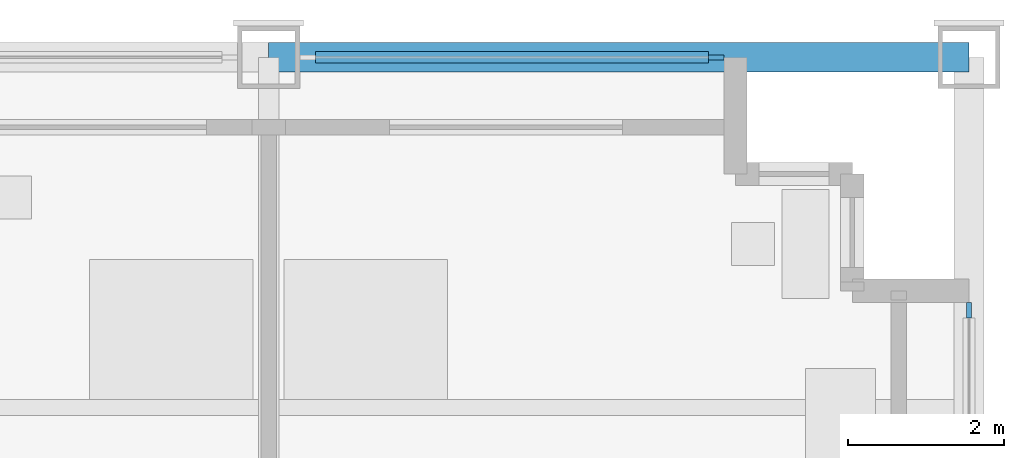
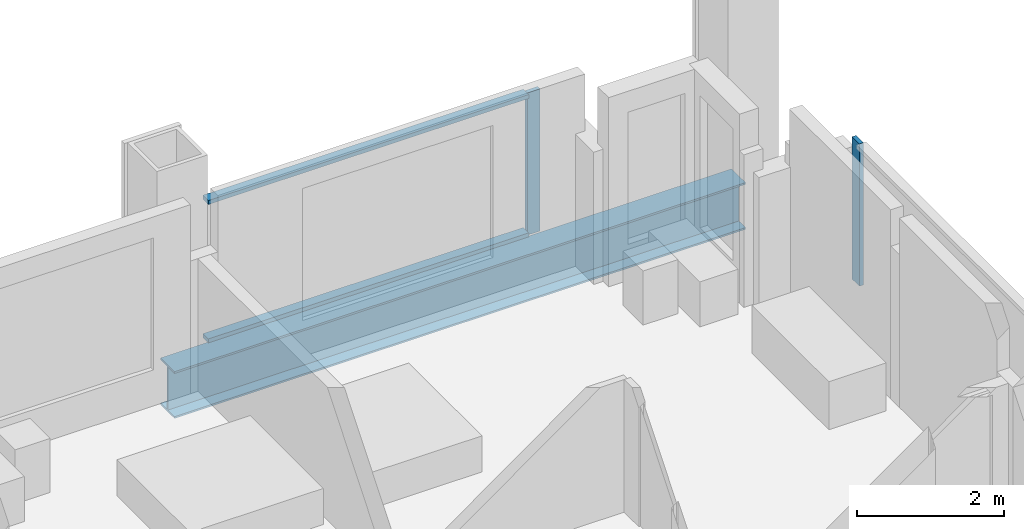
# One storey, part 7 of 17: 4 members, 1 beam, 2 elements without a shape of their own.
"""IFC4 building model written with IfcOpenShell, lengths in metres."""

from ifc_helpers import new_model, si_unit, direction, frame, origin, origin_2d, place, context, subcontext, project, spatial, rectangle, i_section, extrude, material, material_profile, profile_set, type_object, element, aggregate, save


model = new_model("IFC4")

# Units and contexts
model_context = context("Model", 3, precision=1e-05, world=origin(), true_north=direction((0.0, 1.0)))
body_context = subcontext(model_context, "Body", "Model", "MODEL_VIEW")
ifc_project = project(units=[si_unit("LENGTHUNIT", "METRE"), si_unit("AREAUNIT", "SQUARE_METRE"), si_unit("VOLUMEUNIT", "CUBIC_METRE"), si_unit("PLANEANGLEUNIT", "RADIAN"), si_unit("MASSUNIT", "GRAM", prefix="KILO")], contexts=[model_context])

# Site, building, storey
site_placement = place(None, origin())
site = spatial("IfcSite", under=ifc_project, at=site_placement, CompositionType="ELEMENT")
building_placement = place(site_placement, origin())
building = spatial("IfcBuilding", under=site, at=building_placement, Name="Loomwork Tower", CompositionType="ELEMENT")
storey_placement = place(building_placement, frame((0.0, 0.0, 152.0)))
storey = spatial("IfcBuildingStorey", under=building, at=storey_placement, Name="L41", CompositionType="ELEMENT", Elevation=152.0)

# Curtain wall, member
ifc_material_1 = material(Name="Aluminium curtain wall frame", Category="aluminium")
curtain_wall_type = type_object("IfcCurtainWallType", Name="Outer skin glazing hotel", PredefinedType="NOTDEFINED", material=ifc_material_1)
curtain_wall_1_placement = place(storey_placement, origin())
curtain_wall_1 = element("IfcCurtainWall", 1, at=curtain_wall_1_placement, inside=storey, type_object=curtain_wall_type, Name="Outer skin glazing hotel cw/N-36", PredefinedType="NOTDEFINED")
ifc_material_2 = material(Name="Aluminium curtain wall frame", Category="aluminium")
ifc_material_profile_1 = material_profile(ifc_material_2, rectangle(XDim=0.06494140625, YDim=0.199951171875, at=origin_2d()), Name="AL 65x200")
ifc_profile_set_1 = profile_set([ifc_material_profile_1], Name="Aluminium curtain wall frame")
member_type_1 = type_object("IfcMemberType", Name="Outer skin glazing hotel mullion", PredefinedType="MULLION", material=ifc_profile_set_1)
member_1_placement = place(storey_placement, frame((41.75, 36.0, 0.0), z_axis=(0.0, 0.0, 1.0), x_axis=(0.0, -1.0, 0.0)))
member_1 = element("IfcMember", 2, at=member_1_placement, type_object=member_type_1, Name="CW1 mullion 1", PredefinedType="MULLION", context=body_context, shape_type="SweptSolid", body=[
    extrude(rectangle(XDim=0.06494140625, YDim=0.199951171875, at=origin_2d()), origin(), (0.0, 0.0, 1.0), 2.3701171875),
])

curtain_wall_2_placement = place(storey_placement, origin())
curtain_wall_2 = element("IfcCurtainWall", 3, at=curtain_wall_2_placement, inside=storey, type_object=curtain_wall_type, Name="Outer skin glazing hotel cw/E-27", PredefinedType="NOTDEFINED")
member_2_placement = place(storey_placement, frame((45.0, 32.75, 0.0), z_axis=(0.0, 0.0, 1.0), x_axis=(-1.0, 0.0, 0.0)))
member_2 = element("IfcMember", 4, at=member_2_placement, type_object=member_type_1, Name="CW1 mullion 2", PredefinedType="MULLION", context=body_context, shape_type="SweptSolid", body=[
    extrude(rectangle(XDim=0.06494140625, YDim=0.199951171875, at=origin_2d()), origin(), (0.0, 0.0, 1.0), 2.3701171875),
])
aggregate(curtain_wall_2, [member_2])

# Member
ifc_material_3 = material(Name="Aluminium curtain wall frame", Category="aluminium")
ifc_material_profile_2 = material_profile(ifc_material_3, rectangle(XDim=0.14990234375, YDim=0.06494140625, at=origin_2d()), Name="AL 65x150")
ifc_profile_set_2 = profile_set([ifc_material_profile_2], Name="Aluminium curtain wall frame")
member_type_2 = type_object("IfcMemberType", Name="Outer skin glazing hotel transom", PredefinedType="USERDEFINED", material=ifc_profile_set_2)
member_3_placement = place(storey_placement, frame((41.64990234375, 36.0, 0.032470703125), z_axis=(-1.0, 0.0, 0.0), x_axis=(0.0, -1.0, 0.0)))
member_3 = element("IfcMember", 5, at=member_3_placement, type_object=member_type_2, Name="CW1 transom 1.1", ObjectType="TRANSOM", PredefinedType="USERDEFINED", context=body_context, shape_type="SweptSolid", body=[
    extrude(rectangle(XDim=0.14990234375, YDim=0.06494140625, at=origin_2d()), origin(), (0.0, 0.0, 1.0), 5.0498046875),
])

member_4_placement = place(storey_placement, frame((41.64990234375, 36.0, 2.337646484375), z_axis=(-1.0, 0.0, 0.0), x_axis=(0.0, -1.0, 0.0)))
member_4 = element("IfcMember", 6, at=member_4_placement, type_object=member_type_2, Name="CW1 transom 1.2", ObjectType="TRANSOM", PredefinedType="USERDEFINED", context=body_context, shape_type="SweptSolid", body=[
    extrude(rectangle(XDim=0.14990234375, YDim=0.06494140625, at=origin_2d()), origin(), (0.0, 0.0, 1.0), 5.0498046875),
])

aggregate(curtain_wall_1, [member_1, member_3, member_4])

# Beam
ifc_material_4 = material(Name="Steel ASTM A992", Category="steel")
ifc_material_profile_3 = material_profile(ifc_material_4, i_section(OverallWidth=0.381103515625, OverallDepth=0.77978515625, WebThickness=0.01806640625, FlangeThickness=0.0302734375, at=origin_2d()), Name="W30x191")
ifc_profile_set_3 = profile_set([ifc_material_profile_3], Name="Steel ASTM A992")
beam_type = type_object("IfcBeamType", Name="SPANDREL GIRDER W30x191", PredefinedType="SPANDREL", material=ifc_profile_set_3)
beam_placement = place(storey_placement, frame((36.0, 36.0, -0.58984375), z_axis=(1.0, 0.0, 0.0), x_axis=(0.0, 1.0, 0.0)))
element("IfcBeam", 7, at=beam_placement, inside=storey, type_object=beam_type, Name="Spandrel Girder H/6-H/7 L41", PredefinedType="SPANDREL", context=body_context, shape_type="SweptSolid", body=[
    extrude(i_section(OverallWidth=0.381103515625, OverallDepth=0.77978515625, WebThickness=0.01806640625, FlangeThickness=0.0302734375, at=origin_2d()), origin(), (0.0, 0.0, 1.0), 9.0),
])

save(model, "model.ifc")
